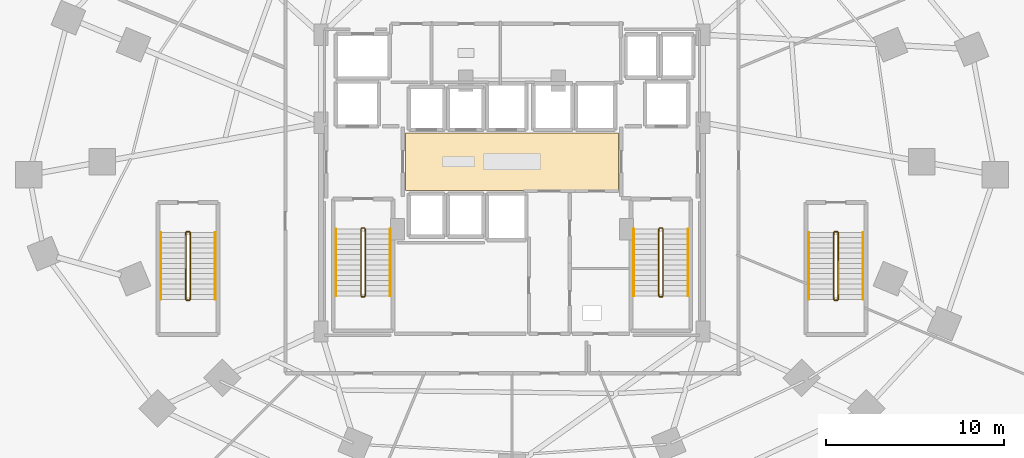
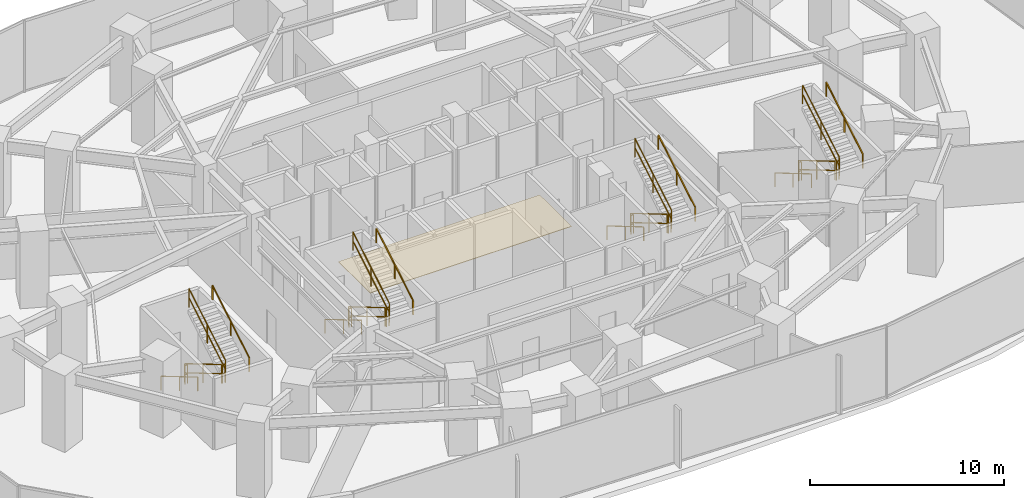
# One storey, part 26 of 27: 24 railings, 1 covering.
"""IFC4 building model written with IfcOpenShell, lengths in metres."""

import ifcopenshell
import ifcopenshell.guid

model = None  # the IFC model being written
_history = None  # IfcOwnerHistory: only IFC2X3 demands one
_inside = {}  # id of a spatial element -> (the spatial element, [elements in it])
_under = {}  # id of a project, library or spatial element -> (it, [spatial elements below it])
_declared = {}  # id of a project -> (the project, [libraries it declares])
_typed = {}  # id of a type object -> (the type object, [elements of that type])
_made_of = {}  # id of a material, layer set ... -> (it, [elements and type objects made of it])


def new_model(schema):
    """Start an empty IFC model of exactly this schema.

    Asked for "IFC4X3", IfcOpenShell would pick the latest addendum, in which some entities
    have other attributes; the version numbers below select the first issue.
    IFC2X3 requires an IfcOwnerHistory on every rooted entity: one is made here for all.
    """
    global model, _history
    if schema == "IFC4X3":
        model = ifcopenshell.file(schema_version=(4, 3, 0, 0))
    else:
        model = ifcopenshell.file(schema=schema)
    _inside.clear()
    _under.clear()
    _declared.clear()
    _typed.clear()
    _made_of.clear()
    _history = None
    if model.schema == "IFC2X3":
        org = make("IfcOrganization", Name="unknown")
        user = make(
            "IfcPersonAndOrganization",
            ThePerson=make("IfcPerson", FamilyName="unknown"),
            TheOrganization=org,
        )
        app = make(
            "IfcApplication",
            ApplicationDeveloper=org,
            Version="unknown",
            ApplicationFullName="unknown",
            ApplicationIdentifier="unknown",
        )
        _history = make(
            "IfcOwnerHistory",
            OwningUser=user,
            OwningApplication=app,
            ChangeAction="ADDED",
            CreationDate=0,
        )
    return model


def make(cls, **values):
    """One entity of the class cls with the attributes given. An attribute that is None is left unset."""
    return model.create_entity(
        cls, **{name: value for name, value in values.items() if value is not None}
    )


def rooted(cls, **values):
    """An entity with a GlobalId (a new one), such as an element, a storey or a relation."""
    return make(cls, GlobalId=ifcopenshell.guid.new(), OwnerHistory=_history, **values)


def si_unit(unit_type, name, prefix=None):
    """IfcSIUnit, for example si_unit("LENGTHUNIT", "METRE", prefix="MILLI")."""
    return make("IfcSIUnit", UnitType=unit_type, Prefix=prefix, Name=name)


def assignment(units):
    """IfcUnitAssignment: the units of a project."""
    return None if units is None else make("IfcUnitAssignment", Units=units)


def point(xyz):
    """IfcCartesianPoint."""
    return None if xyz is None else make("IfcCartesianPoint", Coordinates=xyz)


def direction(xyz):
    """IfcDirection."""
    return None if xyz is None else make("IfcDirection", DirectionRatios=xyz)


def frame(location, z_axis=None, x_axis=None):
    """IfcAxis2Placement3D, a coordinate frame: its origin and axes. An axis left out is left unset."""
    return make(
        "IfcAxis2Placement3D",
        Location=point(location),
        Axis=direction(z_axis),
        RefDirection=direction(x_axis),
    )


def frame_2d(location, x_axis=None):
    """IfcAxis2Placement2D, a coordinate frame in the plane: its origin and x axis."""
    return make(
        "IfcAxis2Placement2D", Location=point(location), RefDirection=direction(x_axis)
    )


def origin():
    """The frame at (0, 0, 0) with its axes left unset."""
    return frame((0.0, 0.0, 0.0))


def origin_2d():
    """The frame at (0, 0) in the plane with its x axis left unset."""
    return frame_2d((0.0, 0.0))


def place(relative_to, where):
    """IfcLocalPlacement: puts the frame where relative to a parent placement (None: the world)."""
    return make(
        "IfcLocalPlacement", PlacementRelTo=relative_to, RelativePlacement=where
    )


def context(
    kind, dimensions, precision=None, world=None, true_north=None, identifier=None
):
    """IfcGeometricRepresentationContext, for example the 3D "Model" context."""
    return make(
        "IfcGeometricRepresentationContext",
        ContextIdentifier=identifier,
        ContextType=kind,
        CoordinateSpaceDimension=dimensions,
        Precision=precision,
        WorldCoordinateSystem=world,
        TrueNorth=true_north,
    )


def subcontext(parent, identifier, kind, view, scale=None):
    """IfcGeometricRepresentationSubContext, for example "Body" below "Model"."""
    return make(
        "IfcGeometricRepresentationSubContext",
        ContextIdentifier=identifier,
        ContextType=kind,
        ParentContext=parent,
        TargetScale=scale,
        TargetView=view,
    )


def project(units=None, contexts=None):
    """IfcProject with its units and contexts."""
    return rooted(
        "IfcProject",
        Name="project",
        RepresentationContexts=contexts,
        UnitsInContext=assignment(units),
    )


def spatial(cls, under=None, at=None, **own):
    """A site, building, storey or space (cls), placed at a placement, below another one or the project."""
    s = rooted(cls, ObjectPlacement=at, **own)
    if under is not None:
        _under.setdefault(under.id(), (under, []))[1].append(s)
    return s


def polyline(points):
    """IfcPolyline through the points."""
    return make("IfcPolyline", Points=[point(p) for p in points])


def profile(cls, at=None, kind="AREA", **sizes):
    """A parametric profile (cls). Its sizes go by their IFC names, for example OverallWidth=200.0."""
    return make(cls, ProfileType=kind, Position=at, **sizes)


def rectangle(**sizes):
    """IfcRectangleProfileDef."""
    return profile("IfcRectangleProfileDef", **sizes)


def outline(outer, holes=None, kind="AREA"):
    """IfcArbitraryClosedProfileDef: a profile drawn as a closed curve; with holes, ...WithVoids."""
    if holes is None:
        return make("IfcArbitraryClosedProfileDef", ProfileType=kind, OuterCurve=outer)
    return make(
        "IfcArbitraryProfileDefWithVoids",
        ProfileType=kind,
        OuterCurve=outer,
        InnerCurves=holes,
    )


def extrude(swept, where, along, depth):
    """IfcExtrudedAreaSolid: the profile swept, set in the frame where, extruded along a direction by depth."""
    return make(
        "IfcExtrudedAreaSolid",
        SweptArea=swept,
        Position=where,
        ExtrudedDirection=direction(along),
        Depth=depth,
    )


def shape(context_of_items, identifier, shape_type, items):
    """IfcShapeRepresentation: the items that make up one representation, for example the "Body"."""
    return make(
        "IfcShapeRepresentation",
        ContextOfItems=context_of_items,
        RepresentationIdentifier=identifier,
        RepresentationType=shape_type,
        Items=items,
    )


def material(Name=None, Category=None):
    """IfcMaterial."""
    return make("IfcMaterial", Name=Name, Category=Category)


def layer(
    of_material, thickness, ventilated=None, Name=None, Category=None, Priority=None
):
    """IfcMaterialLayer: one layer of a wall or slab, of a material (None: an air gap)."""
    return make(
        "IfcMaterialLayer",
        Material=of_material,
        LayerThickness=thickness,
        IsVentilated=ventilated,
        Name=Name,
        Category=Category,
        Priority=Priority,
    )


def layer_set(layers, Name=None):
    """IfcMaterialLayerSet."""
    return make("IfcMaterialLayerSet", MaterialLayers=layers, LayerSetName=Name)


def made_of(thing, what):
    """Note that an element or type object is made of a material, layer set ...; save() writes the relation."""
    if what is not None:
        _made_of.setdefault(what.id(), (what, []))[1].append(thing)
    return thing


def type_object(cls, material=None, **own):
    """A type object (cls), such as IfcWallType, which elements share."""
    return made_of(rooted(cls, **own), material)


def element(
    cls,
    number,
    at=None,
    inside=None,
    cuts=None,
    type_object=None,
    material=None,
    context=None,
    identifier="Body",
    shape_type=None,
    held_by="IfcProductDefinitionShape",
    body=None,
    shapes=None,
    **own,
):
    """One element of the class cls, such as IfcWall. Its Tag is "e" and its number.

    at: its placement. inside: the storey or other place that contains it. cuts: it is an
    opening in that element (IfcRelVoidsElement). A single representation is given by context,
    identifier, shape_type and body (its items); several are given by shapes. held_by: the class
    of the entity that holds the representations. save() writes the other relations.
    """
    e = rooted(cls, Tag="e%d" % number, ObjectPlacement=at, **own)
    if body is not None:
        shapes = [shape(context, identifier, shape_type, body)]
    if shapes is not None:
        e.Representation = make(held_by, Representations=shapes)
    if inside is not None:
        _inside.setdefault(inside.id(), (inside, []))[1].append(e)
    if cuts is not None:
        rooted(
            "IfcRelVoidsElement", RelatingBuildingElement=cuts, RelatedOpeningElement=e
        )
    if type_object is not None:
        _typed.setdefault(type_object.id(), (type_object, []))[1].append(e)
    return made_of(e, material)


def aggregate(whole, parts):
    """IfcRelAggregates: a whole, such as a stair, and the parts it consists of."""
    return rooted("IfcRelAggregates", RelatingObject=whole, RelatedObjects=parts)


def save(model, path):
    """Write the relations noted so far, then the file.

    IfcRelAggregates (storeys below a building ...), IfcRelContainedInSpatialStructure (elements
    in a storey), IfcRelDefinesByType, IfcRelAssociatesMaterial and IfcRelDeclares: one each for
    every whole, place, type object, material and project.
    """
    for whole, parts in _under.values():
        aggregate(whole, parts)
    for where, things in _inside.values():
        rooted(
            "IfcRelContainedInSpatialStructure",
            RelatedElements=things,
            RelatingStructure=where,
        )
    for kind, things in _typed.values():
        rooted("IfcRelDefinesByType", RelatedObjects=things, RelatingType=kind)
    for what, things in _made_of.values():
        rooted("IfcRelAssociatesMaterial", RelatedObjects=things, RelatingMaterial=what)
    for by, libraries in _declared.values():
        rooted("IfcRelDeclares", RelatingContext=by, RelatedDefinitions=libraries)
    model.write(path)


model = new_model("IFC4")

# Units and contexts
model_context = context("Model", 3, precision=1e-05, world=origin(), true_north=direction((0.0, 1.0)))
body_context = subcontext(model_context, "Body", "Model", "MODEL_VIEW")
ifc_project = project(units=[si_unit("LENGTHUNIT", "METRE"), si_unit("AREAUNIT", "SQUARE_METRE"), si_unit("VOLUMEUNIT", "CUBIC_METRE"), si_unit("PLANEANGLEUNIT", "RADIAN"), si_unit("MASSUNIT", "GRAM", prefix="KILO")], contexts=[model_context])

# Site, building, storey
site_placement = place(None, origin())
site = spatial("IfcSite", under=ifc_project, at=site_placement, CompositionType="ELEMENT")
building_placement = place(site_placement, origin())
building = spatial("IfcBuilding", under=site, at=building_placement, Name="Vorneva Point Tower", CompositionType="ELEMENT")
storey_placement = place(building_placement, frame((0.0, 0.0, 4.800048828125)))
storey = spatial("IfcBuildingStorey", under=building, at=storey_placement, Name="L01", CompositionType="ELEMENT", Elevation=4.800048828125)

# Covering
ifc_material_1 = material(Name="Polished Ural granite terrazzo", Category="masonry")
ifc_layer = layer(ifc_material_1, 0.02490234375)
ifc_layer_set = layer_set([ifc_layer], Name="Polished Ural granite terrazzo")
covering_type = type_object("IfcCoveringType", Name="COV-FLR-TRZ", PredefinedType="FLOORING", material=ifc_layer_set)
covering_placement = place(storey_placement, frame((0.0, 0.0, -0.005126953125)))
element("IfcCovering", 1, at=covering_placement, inside=storey, type_object=covering_type, Name="L01 Lift Lobby Floor Finish", PredefinedType="FLOORING", context=body_context, shape_type="SweptSolid", body=[
    extrude(outline(polyline([(32.02001953125, 24.3701171875), (43.97998046875, 24.3701171875), (43.97998046875, 27.6298828125), (32.02001953125, 27.6298828125), (32.02001953125, 24.3701171875)])), origin(), (0.0, 0.0, 1.0), 0.030029296875),
])

# Railings
ifc_material_2 = material(Name="Brushed stainless steel S304", Category="steel")
railing_type_1 = type_object("IfcRailingType", Name="RL-HND-920", PredefinedType="HANDRAIL", material=ifc_material_2)
railing_1_placement = place(storey_placement, frame((28.10009765625, 22.219970703125, 0.17138671875)))
element("IfcRailing", 2, at=railing_1_placement, inside=storey, type_object=railing_type_1, Name="L01 ST1 stair handrail 1", PredefinedType="HANDRAIL", context=body_context, shape_type="SweptSolid", body=[
    extrude(rectangle(XDim=0.048095703125, YDim=0.048095703125, at=origin_2d()), frame((0.0, 0.0, 0.8759765625), z_axis=(0.0, -0.860848830602, 0.508860777473), x_axis=(1.0, 0.0, 0.0)), (0.0, 0.0, 1.0), 4.37939453125),
    extrude(rectangle(XDim=0.0419921875, YDim=0.0419921875, at=origin_2d()), origin(), (0.0, 0.0, 1.0), 0.851806640625),
    extrude(rectangle(XDim=0.0419921875, YDim=0.0419921875, at=origin_2d()), frame((0.0, -1.885009765625, 1.1142578125)), (0.0, 0.0, 1.0), 0.851806640625),
    extrude(rectangle(XDim=0.0419921875, YDim=0.0419921875, at=origin_2d()), frame((0.0, -3.77001953125, 2.228515625)), (0.0, 0.0, 1.0), 0.851806640625),
])
railing_2_placement = place(storey_placement, frame((31.14990234375, 18.449951171875, 2.5712890625)))
element("IfcRailing", 3, at=railing_2_placement, inside=storey, type_object=railing_type_1, Name="L01 ST1 stair handrail 2", PredefinedType="HANDRAIL", context=body_context, shape_type="SweptSolid", body=[
    extrude(rectangle(XDim=0.048095703125, YDim=0.048095703125, at=origin_2d()), frame((0.0, 0.0, 0.8759765625), z_axis=(0.0, 0.860824410104, 0.508902087802), x_axis=(-1.0, 0.0, 0.0)), (0.0, 0.0, 1.0), 4.379638671875),
    extrude(rectangle(XDim=0.0419921875, YDim=0.0419921875, at=origin_2d()), origin(), (0.0, 0.0, 1.0), 0.851806640625),
    extrude(rectangle(XDim=0.0419921875, YDim=0.0419921875, at=origin_2d()), frame((0.0, 1.885009765625, 1.1142578125)), (0.0, 0.0, 1.0), 0.851806640625),
    extrude(rectangle(XDim=0.0419921875, YDim=0.0419921875, at=origin_2d()), frame((0.0, 3.77001953125, 2.228759765625)), (0.0, 0.0, 1.0), 0.851806640625),
])
railing_3_placement = place(storey_placement, frame((44.85009765625, 22.219970703125, 0.17138671875)))
element("IfcRailing", 4, at=railing_3_placement, inside=storey, type_object=railing_type_1, Name="L01 ST2 stair handrail 1", PredefinedType="HANDRAIL", context=body_context, shape_type="SweptSolid", body=[
    extrude(rectangle(XDim=0.048095703125, YDim=0.048095703125, at=origin_2d()), frame((0.0, 0.0, 0.8759765625), z_axis=(0.0, -0.860848830602, 0.508860777473), x_axis=(1.0, 0.0, 0.0)), (0.0, 0.0, 1.0), 4.37939453125),
    extrude(rectangle(XDim=0.0419921875, YDim=0.0419921875, at=origin_2d()), origin(), (0.0, 0.0, 1.0), 0.851806640625),
    extrude(rectangle(XDim=0.0419921875, YDim=0.0419921875, at=origin_2d()), frame((0.0, -1.885009765625, 1.1142578125)), (0.0, 0.0, 1.0), 0.851806640625),
    extrude(rectangle(XDim=0.0419921875, YDim=0.0419921875, at=origin_2d()), frame((0.0, -3.77001953125, 2.228515625)), (0.0, 0.0, 1.0), 0.851806640625),
])
railing_4_placement = place(storey_placement, frame((47.89990234375, 18.449951171875, 2.5712890625)))
element("IfcRailing", 5, at=railing_4_placement, inside=storey, type_object=railing_type_1, Name="L01 ST2 stair handrail 2", PredefinedType="HANDRAIL", context=body_context, shape_type="SweptSolid", body=[
    extrude(rectangle(XDim=0.048095703125, YDim=0.048095703125, at=origin_2d()), frame((0.0, 0.0, 0.8759765625), z_axis=(0.0, 0.860824410104, 0.508902087802), x_axis=(-1.0, 0.0, 0.0)), (0.0, 0.0, 1.0), 4.379638671875),
    extrude(rectangle(XDim=0.0419921875, YDim=0.0419921875, at=origin_2d()), origin(), (0.0, 0.0, 1.0), 0.851806640625),
    extrude(rectangle(XDim=0.0419921875, YDim=0.0419921875, at=origin_2d()), frame((0.0, 1.885009765625, 1.1142578125)), (0.0, 0.0, 1.0), 0.851806640625),
    extrude(rectangle(XDim=0.0419921875, YDim=0.0419921875, at=origin_2d()), frame((0.0, 3.77001953125, 2.228759765625)), (0.0, 0.0, 1.0), 0.851806640625),
])
railing_5_placement = place(storey_placement, frame((18.25, 22.02001953125, 0.17138671875)))
element("IfcRailing", 6, at=railing_5_placement, inside=storey, type_object=railing_type_1, Name="L01 ST3 stair handrail 1", PredefinedType="HANDRAIL", context=body_context, shape_type="SweptSolid", body=[
    extrude(rectangle(XDim=0.048095703125, YDim=0.048095703125, at=origin_2d()), frame((0.0, 0.0, 0.8759765625), z_axis=(0.0, -0.860848830602, 0.508860777473), x_axis=(1.0, 0.0, 0.0)), (0.0, 0.0, 1.0), 4.37939453125),
    extrude(rectangle(XDim=0.0419921875, YDim=0.0419921875, at=origin_2d()), origin(), (0.0, 0.0, 1.0), 0.851806640625),
    extrude(rectangle(XDim=0.0419921875, YDim=0.0419921875, at=origin_2d()), frame((0.0, -1.885009765625, 1.1142578125)), (0.0, 0.0, 1.0), 0.851806640625),
    extrude(rectangle(XDim=0.0419921875, YDim=0.0419921875, at=origin_2d()), frame((0.0, -3.77001953125, 2.228515625)), (0.0, 0.0, 1.0), 0.851806640625),
])
railing_6_placement = place(storey_placement, frame((21.300048828125, 18.25, 2.5712890625)))
element("IfcRailing", 7, at=railing_6_placement, inside=storey, type_object=railing_type_1, Name="L01 ST3 stair handrail 2", PredefinedType="HANDRAIL", context=body_context, shape_type="SweptSolid", body=[
    extrude(rectangle(XDim=0.048095703125, YDim=0.048095703125, at=origin_2d()), frame((0.0, 0.0, 0.8759765625), z_axis=(0.0, 0.860824410104, 0.508902087802), x_axis=(-1.0, 0.0, 0.0)), (0.0, 0.0, 1.0), 4.379638671875),
    extrude(rectangle(XDim=0.0419921875, YDim=0.0419921875, at=origin_2d()), origin(), (0.0, 0.0, 1.0), 0.851806640625),
    extrude(rectangle(XDim=0.0419921875, YDim=0.0419921875, at=origin_2d()), frame((0.0, 1.885009765625, 1.1142578125)), (0.0, 0.0, 1.0), 0.851806640625),
    extrude(rectangle(XDim=0.0419921875, YDim=0.0419921875, at=origin_2d()), frame((0.0, 3.77001953125, 2.228759765625)), (0.0, 0.0, 1.0), 0.851806640625),
])
railing_7_placement = place(storey_placement, frame((54.699951171875, 22.02001953125, 0.17138671875)))
element("IfcRailing", 8, at=railing_7_placement, inside=storey, type_object=railing_type_1, Name="L01 ST4 stair handrail 1", PredefinedType="HANDRAIL", context=body_context, shape_type="SweptSolid", body=[
    extrude(rectangle(XDim=0.048095703125, YDim=0.048095703125, at=origin_2d()), frame((0.0, 0.0, 0.8759765625), z_axis=(0.0, -0.860848830602, 0.508860777473), x_axis=(1.0, 0.0, 0.0)), (0.0, 0.0, 1.0), 4.37939453125),
    extrude(rectangle(XDim=0.0419921875, YDim=0.0419921875, at=origin_2d()), origin(), (0.0, 0.0, 1.0), 0.851806640625),
    extrude(rectangle(XDim=0.0419921875, YDim=0.0419921875, at=origin_2d()), frame((0.0, -1.885009765625, 1.1142578125)), (0.0, 0.0, 1.0), 0.851806640625),
    extrude(rectangle(XDim=0.0419921875, YDim=0.0419921875, at=origin_2d()), frame((0.0, -3.77001953125, 2.228515625)), (0.0, 0.0, 1.0), 0.851806640625),
])
railing_8_placement = place(storey_placement, frame((57.75, 18.25, 2.5712890625)))
element("IfcRailing", 9, at=railing_8_placement, inside=storey, type_object=railing_type_1, Name="L01 ST4 stair handrail 2", PredefinedType="HANDRAIL", context=body_context, shape_type="SweptSolid", body=[
    extrude(rectangle(XDim=0.048095703125, YDim=0.048095703125, at=origin_2d()), frame((0.0, 0.0, 0.8759765625), z_axis=(0.0, 0.860824410104, 0.508902087802), x_axis=(-1.0, 0.0, 0.0)), (0.0, 0.0, 1.0), 4.379638671875),
    extrude(rectangle(XDim=0.0419921875, YDim=0.0419921875, at=origin_2d()), origin(), (0.0, 0.0, 1.0), 0.851806640625),
    extrude(rectangle(XDim=0.0419921875, YDim=0.0419921875, at=origin_2d()), frame((0.0, 1.885009765625, 1.1142578125)), (0.0, 0.0, 1.0), 0.851806640625),
    extrude(rectangle(XDim=0.0419921875, YDim=0.0419921875, at=origin_2d()), frame((0.0, 3.77001953125, 2.228759765625)), (0.0, 0.0, 1.0), 0.851806640625),
])
railing_type_2 = type_object("IfcRailingType", Name="RL-STG-1100", PredefinedType="GUARDRAIL", material=ifc_material_2)
railing_9_placement = place(storey_placement, frame((29.5, 22.219970703125, 0.17138671875)))
element("IfcRailing", 10, at=railing_9_placement, inside=storey, type_object=railing_type_2, Name="L01 ST1 stair guard 1", PredefinedType="GUARDRAIL", context=body_context, shape_type="SweptSolid", body=[
    extrude(rectangle(XDim=0.048095703125, YDim=0.048095703125, at=origin_2d()), frame((0.0, 0.0, 1.17578125), z_axis=(0.0, -0.860848830602, 0.508860777473), x_axis=(1.0, 0.0, 0.0)), (0.0, 0.0, 1.0), 4.37939453125),
    extrude(rectangle(XDim=0.048095703125, YDim=0.048095703125, at=origin_2d()), frame((0.0, 0.0, 0.60009765625), z_axis=(0.0, -0.860848830602, 0.508860777473), x_axis=(1.0, 0.0, 0.0)), (0.0, 0.0, 1.0), 4.37939453125),
    extrude(rectangle(XDim=0.0419921875, YDim=0.0419921875, at=origin_2d()), origin(), (0.0, 0.0, 1.0), 1.15185546875),
    extrude(rectangle(XDim=0.0419921875, YDim=0.0419921875, at=origin_2d()), frame((0.0, -1.885009765625, 1.1142578125)), (0.0, 0.0, 1.0), 1.15185546875),
    extrude(rectangle(XDim=0.0419921875, YDim=0.0419921875, at=origin_2d()), frame((0.0, -3.77001953125, 2.228515625)), (0.0, 0.0, 1.0), 1.15185546875),
])
railing_10_placement = place(storey_placement, frame((29.550048828125, 18.39990234375, 2.39990234375)))
element("IfcRailing", 11, at=railing_10_placement, inside=storey, type_object=railing_type_2, Name="L01 ST1 stair guard 2", PredefinedType="GUARDRAIL", context=body_context, shape_type="SweptSolid", body=[
    extrude(rectangle(XDim=0.048095703125, YDim=0.048095703125, at=origin_2d()), frame((0.0, 0.0, 1.17578125), z_axis=(1.0, 0.0, 0.0), x_axis=(0.0, 1.0, 0.0)), (0.0, 0.0, 1.0), 0.14990234375),
    extrude(rectangle(XDim=0.048095703125, YDim=0.048095703125, at=origin_2d()), frame((0.0, 0.0, 0.60009765625), z_axis=(1.0, 0.0, 0.0), x_axis=(0.0, 1.0, 0.0)), (0.0, 0.0, 1.0), 0.14990234375),
    extrude(rectangle(XDim=0.0419921875, YDim=0.0419921875, at=origin_2d()), origin(), (0.0, 0.0, 1.0), 1.15185546875),
    extrude(rectangle(XDim=0.0419921875, YDim=0.0419921875, at=origin_2d()), frame((0.14990234375, 0.0, 0.0)), (0.0, 0.0, 1.0), 1.15185546875),
])
railing_11_placement = place(storey_placement, frame((29.75, 18.449951171875, 2.5712890625)))
element("IfcRailing", 12, at=railing_11_placement, inside=storey, type_object=railing_type_2, Name="L01 ST1 stair guard 3", PredefinedType="GUARDRAIL", context=body_context, shape_type="SweptSolid", body=[
    extrude(rectangle(XDim=0.048095703125, YDim=0.048095703125, at=origin_2d()), frame((0.0, 0.0, 1.17578125), z_axis=(0.0, 0.860824410104, 0.508902087802), x_axis=(-1.0, 0.0, 0.0)), (0.0, 0.0, 1.0), 4.379638671875),
    extrude(rectangle(XDim=0.048095703125, YDim=0.048095703125, at=origin_2d()), frame((0.0, 0.0, 0.60009765625), z_axis=(0.0, 0.860824410104, 0.508902087802), x_axis=(-1.0, 0.0, 0.0)), (0.0, 0.0, 1.0), 4.379638671875),
    extrude(rectangle(XDim=0.0419921875, YDim=0.0419921875, at=origin_2d()), origin(), (0.0, 0.0, 1.0), 1.15185546875),
    extrude(rectangle(XDim=0.0419921875, YDim=0.0419921875, at=origin_2d()), frame((0.0, 1.885009765625, 1.1142578125)), (0.0, 0.0, 1.0), 1.15185546875),
    extrude(rectangle(XDim=0.0419921875, YDim=0.0419921875, at=origin_2d()), frame((0.0, 3.77001953125, 2.228759765625)), (0.0, 0.0, 1.0), 1.15185546875),
])
railing_12_placement = place(storey_placement, frame((29.550048828125, 22.27001953125, 0.0)))
element("IfcRailing", 13, at=railing_12_placement, inside=storey, type_object=railing_type_2, Name="L01 ST1 stair guard 4", PredefinedType="GUARDRAIL", context=body_context, shape_type="SweptSolid", body=[
    extrude(rectangle(XDim=0.048095703125, YDim=0.048095703125, at=origin_2d()), frame((0.0, 0.0, 1.17578125), z_axis=(1.0, 0.0, 0.0), x_axis=(0.0, 1.0, 0.0)), (0.0, 0.0, 1.0), 0.14990234375),
    extrude(rectangle(XDim=0.048095703125, YDim=0.048095703125, at=origin_2d()), frame((0.0, 0.0, 0.60009765625), z_axis=(1.0, 0.0, 0.0), x_axis=(0.0, 1.0, 0.0)), (0.0, 0.0, 1.0), 0.14990234375),
    extrude(rectangle(XDim=0.0419921875, YDim=0.0419921875, at=origin_2d()), origin(), (0.0, 0.0, 1.0), 1.15185546875),
    extrude(rectangle(XDim=0.0419921875, YDim=0.0419921875, at=origin_2d()), frame((0.14990234375, 0.0, 0.0)), (0.0, 0.0, 1.0), 1.15185546875),
])
railing_13_placement = place(storey_placement, frame((46.25, 22.219970703125, 0.17138671875)))
element("IfcRailing", 14, at=railing_13_placement, inside=storey, type_object=railing_type_2, Name="L01 ST2 stair guard 1", PredefinedType="GUARDRAIL", context=body_context, shape_type="SweptSolid", body=[
    extrude(rectangle(XDim=0.048095703125, YDim=0.048095703125, at=origin_2d()), frame((0.0, 0.0, 1.17578125), z_axis=(0.0, -0.860848830602, 0.508860777473), x_axis=(1.0, 0.0, 0.0)), (0.0, 0.0, 1.0), 4.37939453125),
    extrude(rectangle(XDim=0.048095703125, YDim=0.048095703125, at=origin_2d()), frame((0.0, 0.0, 0.60009765625), z_axis=(0.0, -0.860848830602, 0.508860777473), x_axis=(1.0, 0.0, 0.0)), (0.0, 0.0, 1.0), 4.37939453125),
    extrude(rectangle(XDim=0.0419921875, YDim=0.0419921875, at=origin_2d()), origin(), (0.0, 0.0, 1.0), 1.15185546875),
    extrude(rectangle(XDim=0.0419921875, YDim=0.0419921875, at=origin_2d()), frame((0.0, -1.885009765625, 1.1142578125)), (0.0, 0.0, 1.0), 1.15185546875),
    extrude(rectangle(XDim=0.0419921875, YDim=0.0419921875, at=origin_2d()), frame((0.0, -3.77001953125, 2.228515625)), (0.0, 0.0, 1.0), 1.15185546875),
])
railing_14_placement = place(storey_placement, frame((46.300048828125, 18.39990234375, 2.39990234375)))
element("IfcRailing", 15, at=railing_14_placement, inside=storey, type_object=railing_type_2, Name="L01 ST2 stair guard 2", PredefinedType="GUARDRAIL", context=body_context, shape_type="SweptSolid", body=[
    extrude(rectangle(XDim=0.048095703125, YDim=0.048095703125, at=origin_2d()), frame((0.0, 0.0, 1.17578125), z_axis=(1.0, 0.0, 0.0), x_axis=(0.0, 1.0, 0.0)), (0.0, 0.0, 1.0), 0.14990234375),
    extrude(rectangle(XDim=0.048095703125, YDim=0.048095703125, at=origin_2d()), frame((0.0, 0.0, 0.60009765625), z_axis=(1.0, 0.0, 0.0), x_axis=(0.0, 1.0, 0.0)), (0.0, 0.0, 1.0), 0.14990234375),
    extrude(rectangle(XDim=0.0419921875, YDim=0.0419921875, at=origin_2d()), origin(), (0.0, 0.0, 1.0), 1.15185546875),
    extrude(rectangle(XDim=0.0419921875, YDim=0.0419921875, at=origin_2d()), frame((0.14990234375, 0.0, 0.0)), (0.0, 0.0, 1.0), 1.15185546875),
])
railing_15_placement = place(storey_placement, frame((46.5, 18.449951171875, 2.5712890625)))
element("IfcRailing", 16, at=railing_15_placement, inside=storey, type_object=railing_type_2, Name="L01 ST2 stair guard 3", PredefinedType="GUARDRAIL", context=body_context, shape_type="SweptSolid", body=[
    extrude(rectangle(XDim=0.048095703125, YDim=0.048095703125, at=origin_2d()), frame((0.0, 0.0, 1.17578125), z_axis=(0.0, 0.860824410104, 0.508902087802), x_axis=(-1.0, 0.0, 0.0)), (0.0, 0.0, 1.0), 4.379638671875),
    extrude(rectangle(XDim=0.048095703125, YDim=0.048095703125, at=origin_2d()), frame((0.0, 0.0, 0.60009765625), z_axis=(0.0, 0.860824410104, 0.508902087802), x_axis=(-1.0, 0.0, 0.0)), (0.0, 0.0, 1.0), 4.379638671875),
    extrude(rectangle(XDim=0.0419921875, YDim=0.0419921875, at=origin_2d()), origin(), (0.0, 0.0, 1.0), 1.15185546875),
    extrude(rectangle(XDim=0.0419921875, YDim=0.0419921875, at=origin_2d()), frame((0.0, 1.885009765625, 1.1142578125)), (0.0, 0.0, 1.0), 1.15185546875),
    extrude(rectangle(XDim=0.0419921875, YDim=0.0419921875, at=origin_2d()), frame((0.0, 3.77001953125, 2.228759765625)), (0.0, 0.0, 1.0), 1.15185546875),
])
railing_16_placement = place(storey_placement, frame((46.300048828125, 22.27001953125, 0.0)))
element("IfcRailing", 17, at=railing_16_placement, inside=storey, type_object=railing_type_2, Name="L01 ST2 stair guard 4", PredefinedType="GUARDRAIL", context=body_context, shape_type="SweptSolid", body=[
    extrude(rectangle(XDim=0.048095703125, YDim=0.048095703125, at=origin_2d()), frame((0.0, 0.0, 1.17578125), z_axis=(1.0, 0.0, 0.0), x_axis=(0.0, 1.0, 0.0)), (0.0, 0.0, 1.0), 0.14990234375),
    extrude(rectangle(XDim=0.048095703125, YDim=0.048095703125, at=origin_2d()), frame((0.0, 0.0, 0.60009765625), z_axis=(1.0, 0.0, 0.0), x_axis=(0.0, 1.0, 0.0)), (0.0, 0.0, 1.0), 0.14990234375),
    extrude(rectangle(XDim=0.0419921875, YDim=0.0419921875, at=origin_2d()), origin(), (0.0, 0.0, 1.0), 1.15185546875),
    extrude(rectangle(XDim=0.0419921875, YDim=0.0419921875, at=origin_2d()), frame((0.14990234375, 0.0, 0.0)), (0.0, 0.0, 1.0), 1.15185546875),
])
railing_17_placement = place(storey_placement, frame((19.64990234375, 22.02001953125, 0.17138671875)))
element("IfcRailing", 18, at=railing_17_placement, inside=storey, type_object=railing_type_2, Name="L01 ST3 stair guard 1", PredefinedType="GUARDRAIL", context=body_context, shape_type="SweptSolid", body=[
    extrude(rectangle(XDim=0.048095703125, YDim=0.048095703125, at=origin_2d()), frame((0.0, 0.0, 1.17578125), z_axis=(0.0, -0.860848830602, 0.508860777473), x_axis=(1.0, 0.0, 0.0)), (0.0, 0.0, 1.0), 4.37939453125),
    extrude(rectangle(XDim=0.048095703125, YDim=0.048095703125, at=origin_2d()), frame((0.0, 0.0, 0.60009765625), z_axis=(0.0, -0.860848830602, 0.508860777473), x_axis=(1.0, 0.0, 0.0)), (0.0, 0.0, 1.0), 4.37939453125),
    extrude(rectangle(XDim=0.0419921875, YDim=0.0419921875, at=origin_2d()), origin(), (0.0, 0.0, 1.0), 1.15185546875),
    extrude(rectangle(XDim=0.0419921875, YDim=0.0419921875, at=origin_2d()), frame((0.0, -1.885009765625, 1.1142578125)), (0.0, 0.0, 1.0), 1.15185546875),
    extrude(rectangle(XDim=0.0419921875, YDim=0.0419921875, at=origin_2d()), frame((0.0, -3.77001953125, 2.228515625)), (0.0, 0.0, 1.0), 1.15185546875),
])
railing_18_placement = place(storey_placement, frame((19.699951171875, 18.199951171875, 2.39990234375)))
element("IfcRailing", 19, at=railing_18_placement, inside=storey, type_object=railing_type_2, Name="L01 ST3 stair guard 2", PredefinedType="GUARDRAIL", context=body_context, shape_type="SweptSolid", body=[
    extrude(rectangle(XDim=0.048095703125, YDim=0.048095703125, at=origin_2d()), frame((0.0, 0.0, 1.17578125), z_axis=(1.0, 0.0, 0.0), x_axis=(0.0, 1.0, 0.0)), (0.0, 0.0, 1.0), 0.150146484375),
    extrude(rectangle(XDim=0.048095703125, YDim=0.048095703125, at=origin_2d()), frame((0.0, 0.0, 0.60009765625), z_axis=(1.0, 0.0, 0.0), x_axis=(0.0, 1.0, 0.0)), (0.0, 0.0, 1.0), 0.150146484375),
    extrude(rectangle(XDim=0.0419921875, YDim=0.0419921875, at=origin_2d()), origin(), (0.0, 0.0, 1.0), 1.15185546875),
    extrude(rectangle(XDim=0.0419921875, YDim=0.0419921875, at=origin_2d()), frame((0.150146484375, 0.0, 0.0)), (0.0, 0.0, 1.0), 1.15185546875),
])
railing_19_placement = place(storey_placement, frame((19.89990234375, 18.25, 2.5712890625)))
element("IfcRailing", 20, at=railing_19_placement, inside=storey, type_object=railing_type_2, Name="L01 ST3 stair guard 3", PredefinedType="GUARDRAIL", context=body_context, shape_type="SweptSolid", body=[
    extrude(rectangle(XDim=0.048095703125, YDim=0.048095703125, at=origin_2d()), frame((0.0, 0.0, 1.17578125), z_axis=(0.0, 0.860824410104, 0.508902087802), x_axis=(-1.0, 0.0, 0.0)), (0.0, 0.0, 1.0), 4.379638671875),
    extrude(rectangle(XDim=0.048095703125, YDim=0.048095703125, at=origin_2d()), frame((0.0, 0.0, 0.60009765625), z_axis=(0.0, 0.860824410104, 0.508902087802), x_axis=(-1.0, 0.0, 0.0)), (0.0, 0.0, 1.0), 4.379638671875),
    extrude(rectangle(XDim=0.0419921875, YDim=0.0419921875, at=origin_2d()), origin(), (0.0, 0.0, 1.0), 1.15185546875),
    extrude(rectangle(XDim=0.0419921875, YDim=0.0419921875, at=origin_2d()), frame((0.0, 1.885009765625, 1.1142578125)), (0.0, 0.0, 1.0), 1.15185546875),
    extrude(rectangle(XDim=0.0419921875, YDim=0.0419921875, at=origin_2d()), frame((0.0, 3.77001953125, 2.228759765625)), (0.0, 0.0, 1.0), 1.15185546875),
])
railing_20_placement = place(storey_placement, frame((19.699951171875, 22.070068359375, 0.0)))
element("IfcRailing", 21, at=railing_20_placement, inside=storey, type_object=railing_type_2, Name="L01 ST3 stair guard 4", PredefinedType="GUARDRAIL", context=body_context, shape_type="SweptSolid", body=[
    extrude(rectangle(XDim=0.048095703125, YDim=0.048095703125, at=origin_2d()), frame((0.0, 0.0, 1.17578125), z_axis=(1.0, 0.0, 0.0), x_axis=(0.0, 1.0, 0.0)), (0.0, 0.0, 1.0), 0.150146484375),
    extrude(rectangle(XDim=0.048095703125, YDim=0.048095703125, at=origin_2d()), frame((0.0, 0.0, 0.60009765625), z_axis=(1.0, 0.0, 0.0), x_axis=(0.0, 1.0, 0.0)), (0.0, 0.0, 1.0), 0.150146484375),
    extrude(rectangle(XDim=0.0419921875, YDim=0.0419921875, at=origin_2d()), origin(), (0.0, 0.0, 1.0), 1.15185546875),
    extrude(rectangle(XDim=0.0419921875, YDim=0.0419921875, at=origin_2d()), frame((0.150146484375, 0.0, 0.0)), (0.0, 0.0, 1.0), 1.15185546875),
])
railing_21_placement = place(storey_placement, frame((56.10009765625, 22.02001953125, 0.17138671875)))
element("IfcRailing", 22, at=railing_21_placement, inside=storey, type_object=railing_type_2, Name="L01 ST4 stair guard 1", PredefinedType="GUARDRAIL", context=body_context, shape_type="SweptSolid", body=[
    extrude(rectangle(XDim=0.048095703125, YDim=0.048095703125, at=origin_2d()), frame((0.0, 0.0, 1.17578125), z_axis=(0.0, -0.860848830602, 0.508860777473), x_axis=(1.0, 0.0, 0.0)), (0.0, 0.0, 1.0), 4.37939453125),
    extrude(rectangle(XDim=0.048095703125, YDim=0.048095703125, at=origin_2d()), frame((0.0, 0.0, 0.60009765625), z_axis=(0.0, -0.860848830602, 0.508860777473), x_axis=(1.0, 0.0, 0.0)), (0.0, 0.0, 1.0), 4.37939453125),
    extrude(rectangle(XDim=0.0419921875, YDim=0.0419921875, at=origin_2d()), origin(), (0.0, 0.0, 1.0), 1.15185546875),
    extrude(rectangle(XDim=0.0419921875, YDim=0.0419921875, at=origin_2d()), frame((0.0, -1.885009765625, 1.1142578125)), (0.0, 0.0, 1.0), 1.15185546875),
    extrude(rectangle(XDim=0.0419921875, YDim=0.0419921875, at=origin_2d()), frame((0.0, -3.77001953125, 2.228515625)), (0.0, 0.0, 1.0), 1.15185546875),
])
railing_22_placement = place(storey_placement, frame((56.14990234375, 18.199951171875, 2.39990234375)))
element("IfcRailing", 23, at=railing_22_placement, inside=storey, type_object=railing_type_2, Name="L01 ST4 stair guard 2", PredefinedType="GUARDRAIL", context=body_context, shape_type="SweptSolid", body=[
    extrude(rectangle(XDim=0.048095703125, YDim=0.048095703125, at=origin_2d()), frame((0.0, 0.0, 1.17578125), z_axis=(1.0, 0.0, 0.0), x_axis=(0.0, 1.0, 0.0)), (0.0, 0.0, 1.0), 0.150146484375),
    extrude(rectangle(XDim=0.048095703125, YDim=0.048095703125, at=origin_2d()), frame((0.0, 0.0, 0.60009765625), z_axis=(1.0, 0.0, 0.0), x_axis=(0.0, 1.0, 0.0)), (0.0, 0.0, 1.0), 0.150146484375),
    extrude(rectangle(XDim=0.0419921875, YDim=0.0419921875, at=origin_2d()), origin(), (0.0, 0.0, 1.0), 1.15185546875),
    extrude(rectangle(XDim=0.0419921875, YDim=0.0419921875, at=origin_2d()), frame((0.150146484375, 0.0, 0.0)), (0.0, 0.0, 1.0), 1.15185546875),
])
railing_23_placement = place(storey_placement, frame((56.35009765625, 18.25, 2.5712890625)))
element("IfcRailing", 24, at=railing_23_placement, inside=storey, type_object=railing_type_2, Name="L01 ST4 stair guard 3", PredefinedType="GUARDRAIL", context=body_context, shape_type="SweptSolid", body=[
    extrude(rectangle(XDim=0.048095703125, YDim=0.048095703125, at=origin_2d()), frame((0.0, 0.0, 1.17578125), z_axis=(0.0, 0.860824410104, 0.508902087802), x_axis=(-1.0, 0.0, 0.0)), (0.0, 0.0, 1.0), 4.379638671875),
    extrude(rectangle(XDim=0.048095703125, YDim=0.048095703125, at=origin_2d()), frame((0.0, 0.0, 0.60009765625), z_axis=(0.0, 0.860824410104, 0.508902087802), x_axis=(-1.0, 0.0, 0.0)), (0.0, 0.0, 1.0), 4.379638671875),
    extrude(rectangle(XDim=0.0419921875, YDim=0.0419921875, at=origin_2d()), origin(), (0.0, 0.0, 1.0), 1.15185546875),
    extrude(rectangle(XDim=0.0419921875, YDim=0.0419921875, at=origin_2d()), frame((0.0, 1.885009765625, 1.1142578125)), (0.0, 0.0, 1.0), 1.15185546875),
    extrude(rectangle(XDim=0.0419921875, YDim=0.0419921875, at=origin_2d()), frame((0.0, 3.77001953125, 2.228759765625)), (0.0, 0.0, 1.0), 1.15185546875),
])
railing_24_placement = place(storey_placement, frame((56.14990234375, 22.070068359375, 0.0)))
element("IfcRailing", 25, at=railing_24_placement, inside=storey, type_object=railing_type_2, Name="L01 ST4 stair guard 4", PredefinedType="GUARDRAIL", context=body_context, shape_type="SweptSolid", body=[
    extrude(rectangle(XDim=0.048095703125, YDim=0.048095703125, at=origin_2d()), frame((0.0, 0.0, 1.17578125), z_axis=(1.0, 0.0, 0.0), x_axis=(0.0, 1.0, 0.0)), (0.0, 0.0, 1.0), 0.150146484375),
    extrude(rectangle(XDim=0.048095703125, YDim=0.048095703125, at=origin_2d()), frame((0.0, 0.0, 0.60009765625), z_axis=(1.0, 0.0, 0.0), x_axis=(0.0, 1.0, 0.0)), (0.0, 0.0, 1.0), 0.150146484375),
    extrude(rectangle(XDim=0.0419921875, YDim=0.0419921875, at=origin_2d()), origin(), (0.0, 0.0, 1.0), 1.15185546875),
    extrude(rectangle(XDim=0.0419921875, YDim=0.0419921875, at=origin_2d()), frame((0.150146484375, 0.0, 0.0)), (0.0, 0.0, 1.0), 1.15185546875),
])

save(model, "model.ifc")
